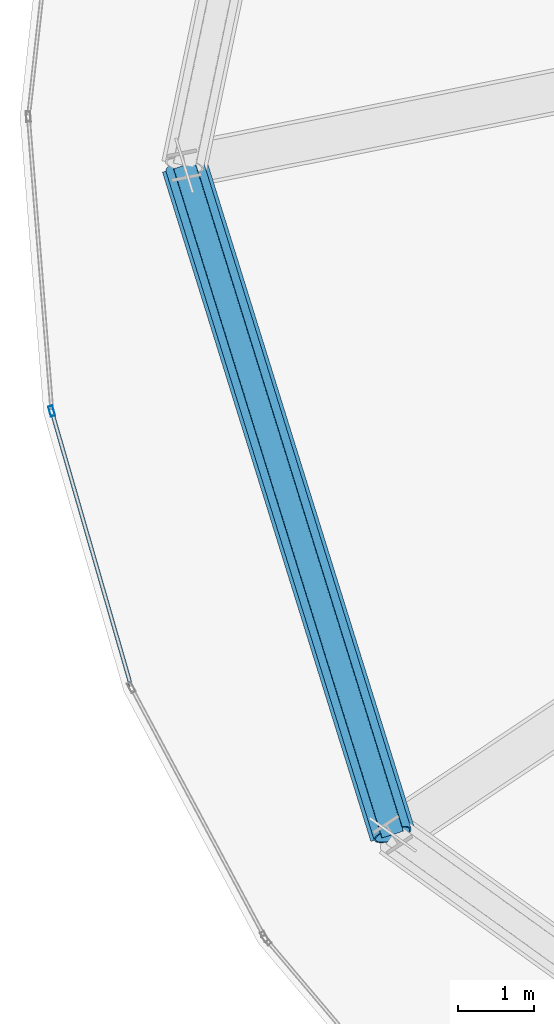
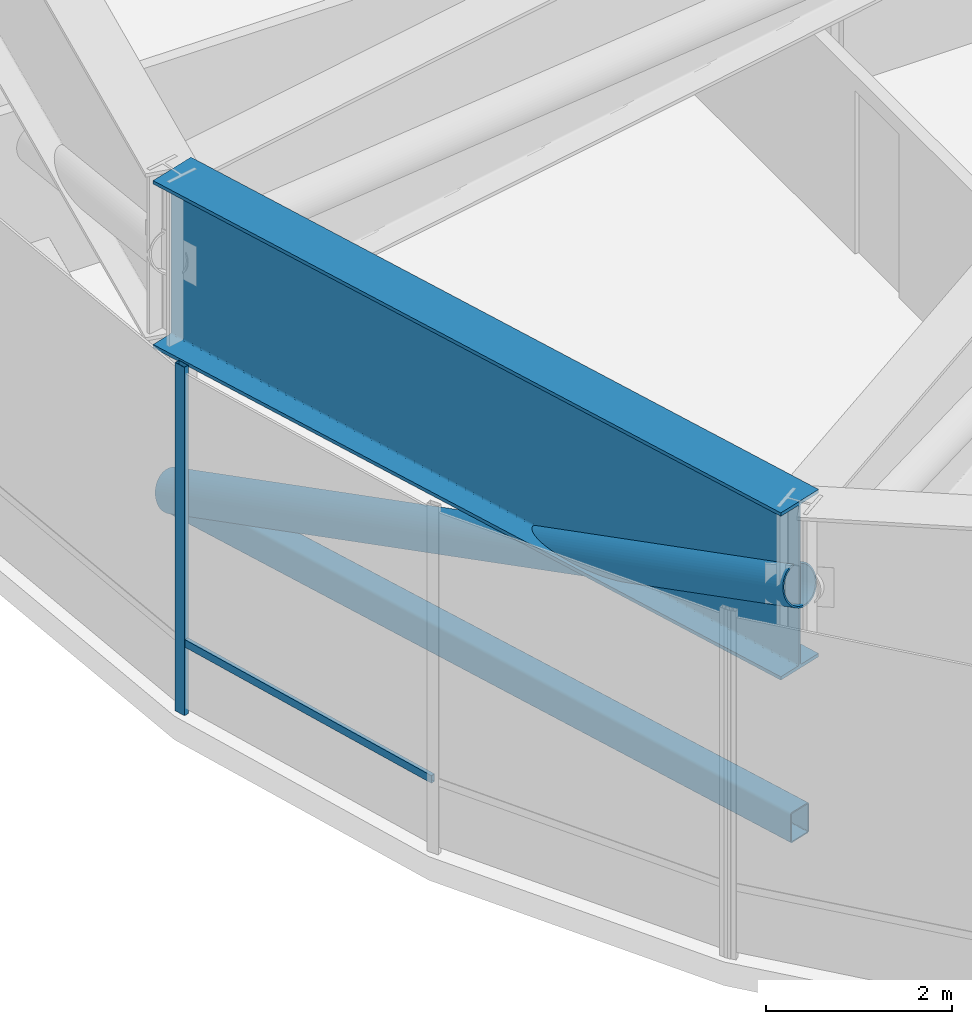
# One storey, part 4 of 30: 4 members, 1 beam, 1 element without a shape of its own.
"""IFC4 building model written with IfcOpenShell, lengths in metres."""

from ifc_helpers import new_model, si_unit, direction, frame, origin, origin_2d, place, context, subcontext, project, spatial, hollow_rectangle, hollow_circle, i_section, extrude, source, transform, mapped, material, layer, layer_set, material_profile, profile_set, type_object, element, aggregate, save


model = new_model("IFC4")

# Units and contexts
model_context = context("Model", 3, precision=1e-05, world=origin(), true_north=direction((0.0, 1.0)))
body_context = subcontext(model_context, "Body", "Model", "MODEL_VIEW")
ifc_project = project(units=[si_unit("LENGTHUNIT", "METRE"), si_unit("AREAUNIT", "SQUARE_METRE"), si_unit("VOLUMEUNIT", "CUBIC_METRE"), si_unit("PLANEANGLEUNIT", "RADIAN"), si_unit("MASSUNIT", "GRAM", prefix="KILO"), si_unit("THERMODYNAMICTEMPERATUREUNIT", "KELVIN")], contexts=[model_context])

# Site, building, storey
site_placement = place(None, origin())
site = spatial("IfcSite", under=ifc_project, at=site_placement, CompositionType="ELEMENT")
building_placement = place(site_placement, origin())
building = spatial("IfcBuilding", under=site, at=building_placement, Name="Kethvar Cultural Tower", CompositionType="ELEMENT")
storey_placement = place(building_placement, frame((0.0, 0.0, 171.39990234375)))
storey = spatial("IfcBuildingStorey", under=building, at=storey_placement, Name="L44", CompositionType="ELEMENT", Elevation=171.39990234375)

# Beam
ifc_material_1 = material(Name="Steel S460M", Category="steel")
ifc_material_profile_1 = material_profile(ifc_material_1, i_section(OverallWidth=0.60009765625, OverallDepth=2.199951171875, WebThickness=0.028076171875, FlangeThickness=0.044921875, FilletRadius=0.02197265625, at=origin_2d()), Name="Steel S460M — PG2200x600x45x28")
ifc_profile_set_1 = profile_set([ifc_material_profile_1], Name="Steel S460M — PG2200x600x45x28")
beam_type = type_object("IfcBeamType", Name="BM-TR2200", PredefinedType="BEAM", material=ifc_profile_set_1)
shared_shape_1 = source(origin(), body_context, "Body", "SweptSolid", [
    extrude(i_section(OverallWidth=0.60009765625, OverallDepth=2.199951171875, WebThickness=0.028076171875, FlangeThickness=0.044921875, FilletRadius=0.02197265625, at=origin_2d()), origin(), (0.0, 0.0, 1.0), 9.20068359375),
])
beam_placement = place(storey_placement, frame((24.185302734375, 23.3017578125, 3.47802734375), z_axis=(0.297298800285, -0.954784490526, 0.0), x_axis=(0.954784490526, 0.297298800285, 0.0)))
element("IfcBeam", 1, at=beam_placement, inside=storey, type_object=beam_type, Name="L44 Ring Belt Girder BG-09", PredefinedType="BEAM", context=body_context, shape_type="MappedRepresentation", body=[
    mapped(shared_shape_1, transform((0.0, 0.0, 0.0), scale=1.0)),
])

# Members
ifc_material_profile_2 = material_profile(ifc_material_1, hollow_rectangle(XDim=0.300048828125, YDim=0.39990234375, WallThickness=0.01611328125, InnerFilletRadius=0.01611328125, OuterFilletRadius=0.031982421875, at=origin_2d()), Name="Steel S460M — RHS400x300x16")
ifc_profile_set_2 = profile_set([ifc_material_profile_2], Name="Steel S460M — RHS400x300x16")
member_type_1 = type_object("IfcMemberType", Name="MB-CHD-400", PredefinedType="CHORD", material=ifc_profile_set_2)
shared_shape_2 = source(origin(), body_context, "Body", "SweptSolid", [
    extrude(hollow_rectangle(XDim=0.300048828125, YDim=0.39990234375, WallThickness=0.01611328125, InnerFilletRadius=0.01611328125, OuterFilletRadius=0.031982421875, at=origin_2d()), origin(), (0.0, 0.0, 1.0), 9.20068359375),
])
member_1_placement = place(storey_placement, frame((24.185302734375, 23.3017578125, 0.35009765625), z_axis=(0.297298800285, -0.954784490526, 0.0), x_axis=(0.954784490526, 0.297298800285, 0.0)))
element("IfcMember", 2, at=member_1_placement, inside=storey, type_object=member_type_1, Name="L44 Ring Belt Bottom Chord BC-09", PredefinedType="CHORD", context=body_context, shape_type="MappedRepresentation", body=[
    mapped(shared_shape_2, transform((0.0, 0.0, 0.0), scale=1.0)),
])
ifc_material_profile_3 = material_profile(ifc_material_1, hollow_circle(Radius=0.25390625, WallThickness=0.02001953125, at=origin_2d()), Name="Steel S460M — CHS508x20")
ifc_profile_set_3 = profile_set([ifc_material_profile_3], Name="Steel S460M — CHS508x20")
member_type_2 = type_object("IfcMemberType", Name="MB-OUT-508", PredefinedType="BRACE", material=ifc_profile_set_3)
shared_shape_3 = source(origin(), body_context, "Body", "SweptSolid", [
    extrude(hollow_circle(Radius=0.25390625, WallThickness=0.02001953125, at=origin_2d()), origin(), (0.0, 0.0, 1.0), 9.7177734375),
])
member_2_placement = place(storey_placement, frame((24.185302734375, 23.3017578125, 0.35009765625), z_axis=(0.281477216959, -0.903972975778, 0.321874875373), x_axis=(0.954784490526, 0.297298800285, 0.0)))
element("IfcMember", 3, at=member_2_placement, inside=storey, type_object=member_type_2, Name="L44 Ring Belt Diagonal BD-09", PredefinedType="BRACE", context=body_context, shape_type="MappedRepresentation", body=[
    mapped(shared_shape_3, transform((0.0, 0.0, 0.0), scale=1.0)),
])

# Curtain wall, members
ifc_material_2 = material(Name="Aluminium 6063-T6", Category="aluminium")
ifc_layer = layer(ifc_material_2, 0.179931640625, Name="Aluminium 6063-T6", Category="aluminium")
ifc_layer_set = layer_set([ifc_layer], Name="Aluminium 6063-T6 (180 mm)")
curtain_wall_type = type_object("IfcCurtainWallType", Name="CW-SYS-04-Z34", PredefinedType="NOTDEFINED", material=ifc_layer_set)
curtain_wall_placement = place(storey_placement, origin())
curtain_wall = element("IfcCurtainWall", 4, at=curtain_wall_placement, inside=storey, type_object=curtain_wall_type, Name="L44 Curtain Wall Run 03", PredefinedType="NOTDEFINED")
ifc_material_profile_4 = material_profile(ifc_material_2, hollow_rectangle(XDim=0.06005859375, YDim=0.139892578125, WallThickness=0.0048828125, at=origin_2d()), Name="Aluminium 6063-T6 — RHS140x60x5")
ifc_profile_set_4 = profile_set([ifc_material_profile_4], Name="Aluminium 6063-T6 — RHS140x60x5")
member_type_3 = type_object("IfcMemberType", Name="CW-SYS-04-Z34-MUL", PredefinedType="MULLION", material=ifc_profile_set_4)
shared_shape_4 = source(origin(), body_context, "Body", "SweptSolid", [
    extrude(hollow_rectangle(XDim=0.06005859375, YDim=0.139892578125, WallThickness=0.0048828125, at=origin_2d()), origin(), (0.0, 0.0, 1.0), 4.580078125),
])
member_3_placement = place(storey_placement, frame((22.4443359375, 20.077392578125, 0.0), z_axis=(0.0, 0.0, 1.0), x_axis=(0.960783994065, 0.277297884501, 0.0)))
member_3 = element("IfcMember", 5, at=member_3_placement, type_object=member_type_3, Name="CW-L44-R03 Mullion 5", PredefinedType="MULLION", context=body_context, shape_type="MappedRepresentation", body=[
    mapped(shared_shape_4, transform((0.0, 0.0, 0.0), scale=1.0)),
])
ifc_material_profile_5 = material_profile(ifc_material_2, hollow_rectangle(XDim=0.050048828125, YDim=0.10009765625, WallThickness=0.00390625, at=origin_2d()), Name="Aluminium 6063-T6 — RHS100x50x4")
ifc_profile_set_5 = profile_set([ifc_material_profile_5], Name="Aluminium 6063-T6 — RHS100x50x4")
member_type_4 = type_object("IfcMemberType", Name="CW-SYS-04-Z34-TRN", PredefinedType="USERDEFINED", material=ifc_profile_set_5)
shared_shape_5 = source(origin(), body_context, "Body", "SweptSolid", [
    extrude(hollow_rectangle(XDim=0.050048828125, YDim=0.10009765625, WallThickness=0.00390625, at=origin_2d()), origin(), (0.0, 0.0, 1.0), 3.713623046875),
])
member_4_placement = place(storey_placement, frame((22.456298828125, 20.035888671875, 0.9501953125), z_axis=(0.277307713247, -0.960781157275, 0.0), x_axis=(0.960781157275, 0.277307713247, 0.0)))
member_4 = element("IfcMember", 6, at=member_4_placement, type_object=member_type_4, Name="CW-L44-R03 Transom 5", ObjectType="TRANSOM", PredefinedType="USERDEFINED", context=body_context, shape_type="MappedRepresentation", body=[
    mapped(shared_shape_5, transform((0.0, 0.0, 0.0), scale=1.0)),
])
aggregate(curtain_wall, [member_3, member_4])

save(model, "model.ifc")
